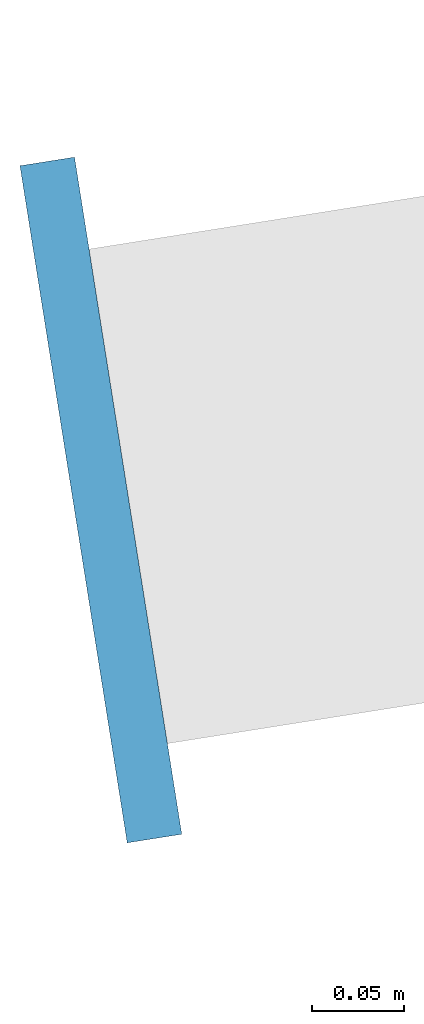
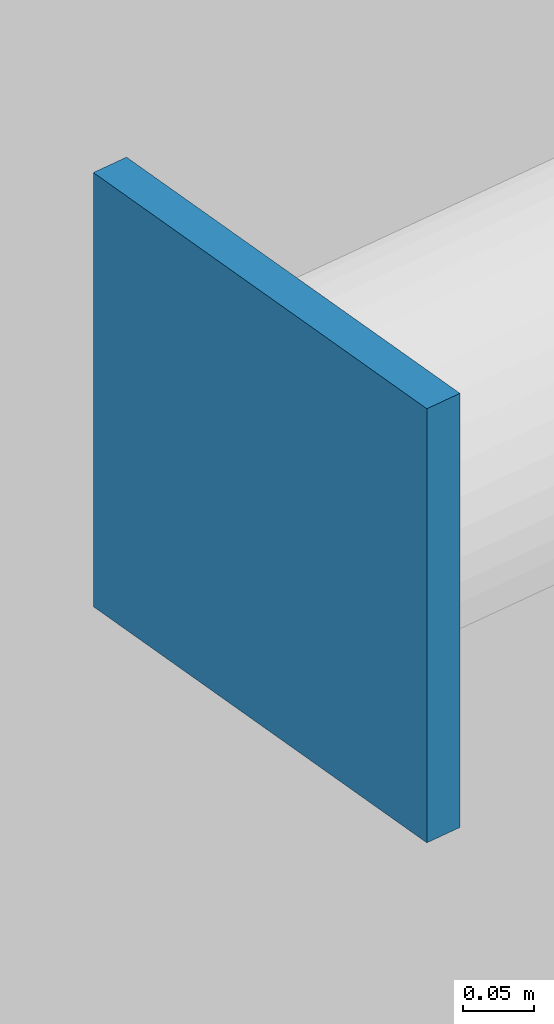
# One storey, part 8 of 19: 1 discrete accessory.
"""IFC4 building model written with IfcOpenShell, lengths in metres."""

from ifc_helpers import new_model, si_unit, direction, frame, origin, origin_2d, place, context, subcontext, project, spatial, rectangle, extrude, material, element, save


model = new_model("IFC4")

# Units and contexts
model_context = context("Model", 3, precision=1e-05, world=origin(), true_north=direction((0.0, 1.0)))
body_context = subcontext(model_context, "Body", "Model", "MODEL_VIEW")
ifc_project = project(units=[si_unit("LENGTHUNIT", "METRE"), si_unit("AREAUNIT", "SQUARE_METRE"), si_unit("VOLUMEUNIT", "CUBIC_METRE"), si_unit("PLANEANGLEUNIT", "RADIAN"), si_unit("MASSUNIT", "GRAM", prefix="KILO")], contexts=[model_context])

# Site, building, storey
site_placement = place(None, origin())
site = spatial("IfcSite", under=ifc_project, at=site_placement, CompositionType="ELEMENT")
building_placement = place(site_placement, origin())
building = spatial("IfcBuilding", under=site, at=building_placement, Name="Entoto Ring Tower", CompositionType="ELEMENT")
storey_placement = place(building_placement, frame((0.0, 0.0, 368.0)))
storey = spatial("IfcBuildingStorey", under=building, at=storey_placement, Name="L85", CompositionType="ELEMENT", Elevation=368.0)

# Discrete accessory
ifc_material = material(Name="Steel S355", Category="steel")
discrete_accessory_placement = place(storey_placement, frame((57.78662109375, 74.89794921875, 3.52685546875), z_axis=(0.0, 0.0, 1.0), x_axis=(-0.987688340595, -0.15643446504, 0.0)))
element("IfcDiscreteAccessory", 1, at=discrete_accessory_placement, inside=storey, material=ifc_material, Name="Node strut end plate DS2 ring 27 10", PredefinedType="BRACKET", context=body_context, shape_type="SweptSolid", body=[
    extrude(rectangle(XDim=0.030029296875, YDim=0.373046875, at=origin_2d()), origin(), (0.0, 0.0, 1.0), 0.373046875),
])

save(model, "model.ifc")
